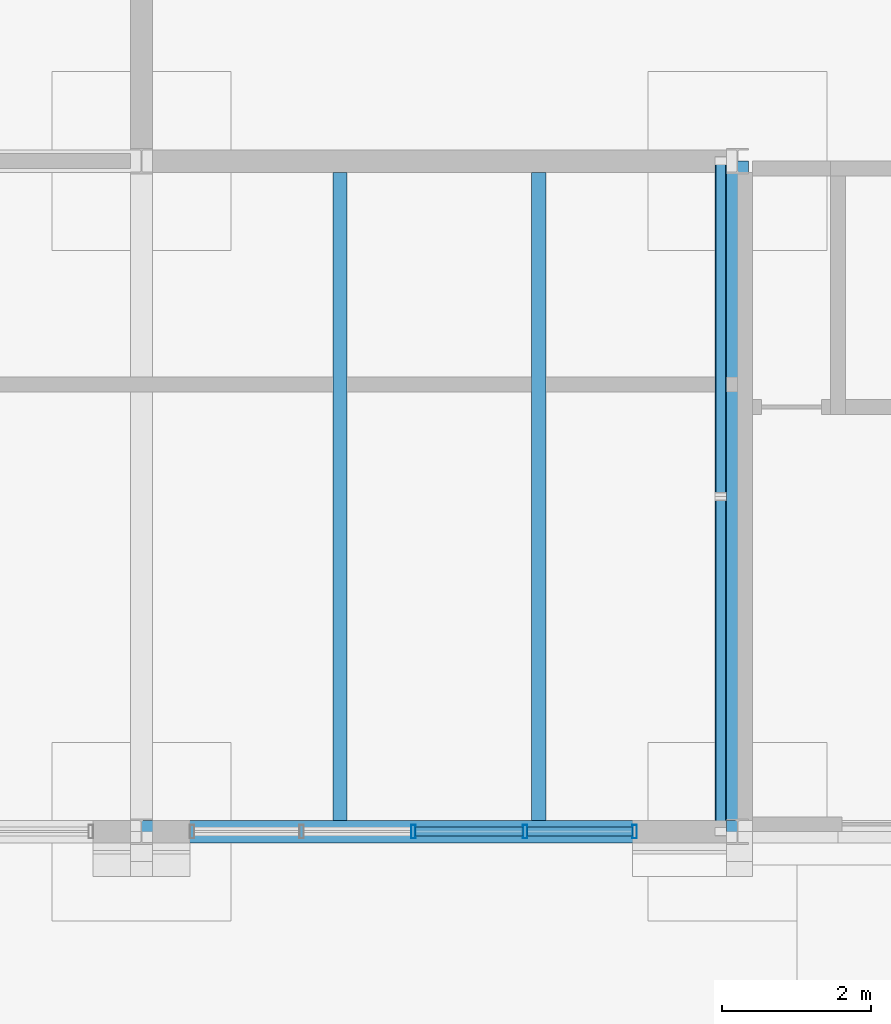
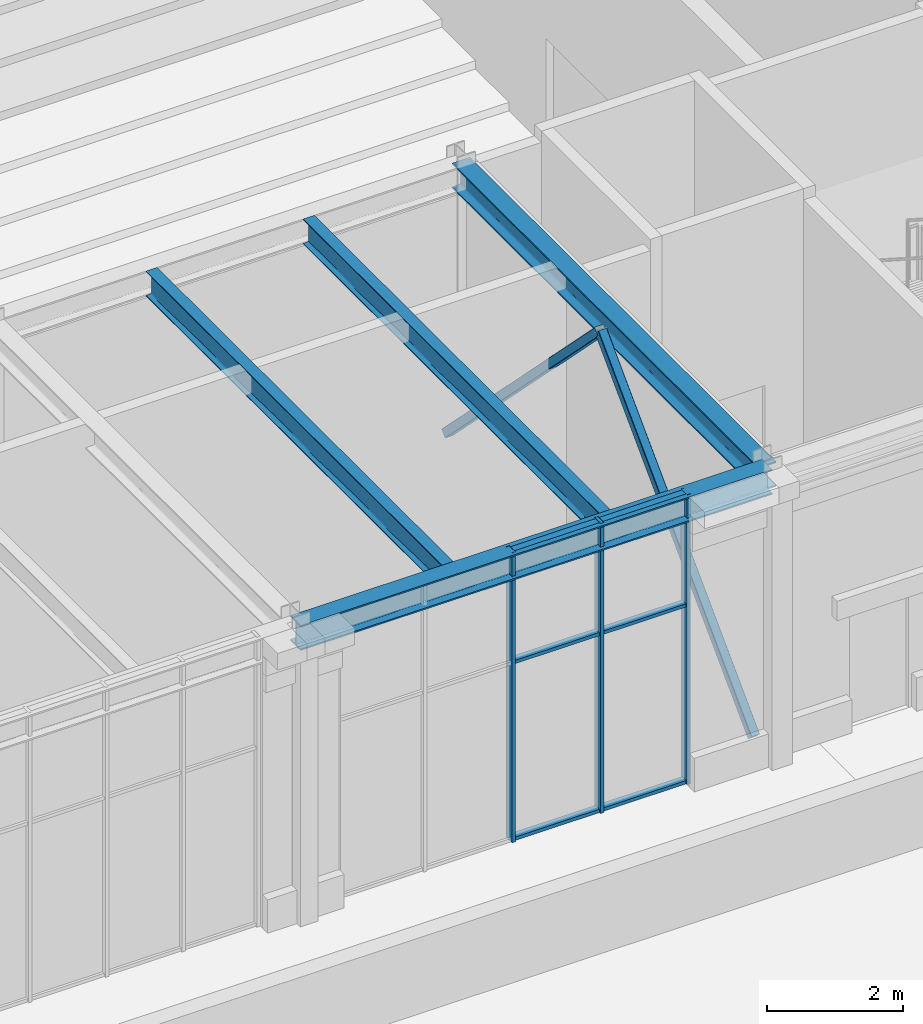
# One storey, part 30 of 126: 11 members, 4 beams, 1 element without a shape of its own.
"""IFC4 building model written with IfcOpenShell, lengths in metres."""

from ifc_helpers import new_model, si_unit, direction, frame, origin, origin_2d, place, context, subcontext, project, spatial, hollow_rectangle, i_section, extrude, material, material_profile, profile_set, type_object, element, aggregate, save


model = new_model("IFC4")

# Units and contexts
model_context = context("Model", 3, precision=1e-05, world=origin(), true_north=direction((0.0, 1.0)))
body_context = subcontext(model_context, "Body", "Model", "MODEL_VIEW")
ifc_project = project(units=[si_unit("LENGTHUNIT", "METRE"), si_unit("AREAUNIT", "SQUARE_METRE"), si_unit("VOLUMEUNIT", "CUBIC_METRE"), si_unit("PLANEANGLEUNIT", "RADIAN"), si_unit("MASSUNIT", "GRAM", prefix="KILO")], contexts=[model_context])

# Site, building, storey
site_placement = place(None, origin())
site = spatial("IfcSite", under=ifc_project, at=site_placement, CompositionType="ELEMENT")
building_placement = place(site_placement, origin())
building = spatial("IfcBuilding", under=site, at=building_placement, Name="Kallimachos Central Library", CompositionType="ELEMENT")
storey_placement = place(building_placement, origin())
storey = spatial("IfcBuildingStorey", under=building, at=storey_placement, Name="L00", CompositionType="ELEMENT", Elevation=0.0)

# Curtain wall, members
ifc_material_1 = material(Name="Aluminium and laminated glass", Category="aluminium")
curtain_wall_type = type_object("IfcCurtainWallType", Name="Shopfront curtain wall", PredefinedType="NOTDEFINED", material=ifc_material_1)
curtain_wall_placement = place(storey_placement, origin())
curtain_wall = element("IfcCurtainWall", 1, at=curtain_wall_placement, inside=storey, type_object=curtain_wall_type, Name="V6-CWL-L00-002", PredefinedType="NOTDEFINED")
ifc_material_2 = material(Name="Anodised aluminium", Category="aluminium")
ifc_material_profile_1 = material_profile(ifc_material_2, hollow_rectangle(XDim=0.06005859375, YDim=0.179931640625, WallThickness=0.00390625, at=origin_2d()), Name="ALU MULLION 60x180")
ifc_profile_set_1 = profile_set([ifc_material_profile_1], Name="Anodised aluminium")
member_type_1 = type_object("IfcMemberType", Name="ALU MULLION 60x180 mullion", PredefinedType="MULLION", material=ifc_profile_set_1)
member_1_placement = place(storey_placement, frame((17.64990234375, 9.0, 0.0), z_axis=(0.0, 0.0, 1.0), x_axis=(1.0, 0.0, 0.0)))
member_1 = element("IfcMember", 2, at=member_1_placement, type_object=member_type_1, Name="CW mullion 3", PredefinedType="MULLION", context=body_context, shape_type="SweptSolid", body=[
    extrude(hollow_rectangle(XDim=0.06005859375, YDim=0.179931640625, WallThickness=0.00390625, at=origin_2d()), origin(), (0.0, 0.0, 1.0), 5.199951171875),
])
member_2_placement = place(storey_placement, frame((19.14990234375, 9.0, 0.0), z_axis=(0.0, 0.0, 1.0), x_axis=(1.0, 0.0, 0.0)))
member_2 = element("IfcMember", 3, at=member_2_placement, type_object=member_type_1, Name="CW mullion 4", PredefinedType="MULLION", context=body_context, shape_type="SweptSolid", body=[
    extrude(hollow_rectangle(XDim=0.06005859375, YDim=0.179931640625, WallThickness=0.00390625, at=origin_2d()), origin(), (0.0, 0.0, 1.0), 5.199951171875),
])
member_3_placement = place(storey_placement, frame((20.6201171875, 9.0, 0.0), z_axis=(0.0, 0.0, 1.0), x_axis=(1.0, 0.0, 0.0)))
member_3 = element("IfcMember", 4, at=member_3_placement, type_object=member_type_1, Name="CW mullion 5", PredefinedType="MULLION", context=body_context, shape_type="SweptSolid", body=[
    extrude(hollow_rectangle(XDim=0.06005859375, YDim=0.179931640625, WallThickness=0.00390625, at=origin_2d()), origin(), (0.0, 0.0, 1.0), 5.199951171875),
])
ifc_material_3 = material(Name="Anodised aluminium", Category="aluminium")
ifc_material_profile_2 = material_profile(ifc_material_3, hollow_rectangle(XDim=0.06005859375, YDim=0.1201171875, WallThickness=0.00390625, at=origin_2d()), Name="ALU TRANSOM 60x120")
ifc_profile_set_2 = profile_set([ifc_material_profile_2], Name="Anodised aluminium")
member_type_2 = type_object("IfcMemberType", Name="ALU TRANSOM 60x120 transom", PredefinedType="USERDEFINED", material=ifc_profile_set_2)
member_4_placement = place(storey_placement, frame((17.679931640625, 9.0, 0.030029296875), z_axis=(1.0, 0.0, 0.0), x_axis=(0.0, 0.0, 1.0)))
member_4 = element("IfcMember", 5, at=member_4_placement, type_object=member_type_2, Name="CW transom 3.1", ObjectType="TRANSOM", PredefinedType="USERDEFINED", context=body_context, shape_type="SweptSolid", body=[
    extrude(hollow_rectangle(XDim=0.06005859375, YDim=0.1201171875, WallThickness=0.00390625, at=origin_2d()), origin(), (0.0, 0.0, 1.0), 1.440185546875),
])
member_5_placement = place(storey_placement, frame((17.679931640625, 9.0, 3.199951171875), z_axis=(1.0, 0.0, 0.0), x_axis=(0.0, 0.0, 1.0)))
member_5 = element("IfcMember", 6, at=member_5_placement, type_object=member_type_2, Name="CW transom 3.2", ObjectType="TRANSOM", PredefinedType="USERDEFINED", context=body_context, shape_type="SweptSolid", body=[
    extrude(hollow_rectangle(XDim=0.06005859375, YDim=0.1201171875, WallThickness=0.00390625, at=origin_2d()), origin(), (0.0, 0.0, 1.0), 1.440185546875),
])
member_6_placement = place(storey_placement, frame((17.679931640625, 9.0, 5.169921875), z_axis=(1.0, 0.0, 0.0), x_axis=(0.0, 0.0, 1.0)))
member_6 = element("IfcMember", 7, at=member_6_placement, type_object=member_type_2, Name="CW transom 3.3", ObjectType="TRANSOM", PredefinedType="USERDEFINED", context=body_context, shape_type="SweptSolid", body=[
    extrude(hollow_rectangle(XDim=0.06005859375, YDim=0.1201171875, WallThickness=0.00390625, at=origin_2d()), origin(), (0.0, 0.0, 1.0), 1.440185546875),
])
member_7_placement = place(storey_placement, frame((19.179931640625, 9.0, 0.030029296875), z_axis=(1.0, 0.0, 0.0), x_axis=(0.0, 0.0, 1.0)))
member_7 = element("IfcMember", 8, at=member_7_placement, type_object=member_type_2, Name="CW transom 4.1", ObjectType="TRANSOM", PredefinedType="USERDEFINED", context=body_context, shape_type="SweptSolid", body=[
    extrude(hollow_rectangle(XDim=0.06005859375, YDim=0.1201171875, WallThickness=0.00390625, at=origin_2d()), origin(), (0.0, 0.0, 1.0), 1.41015625),
])
member_8_placement = place(storey_placement, frame((19.179931640625, 9.0, 3.199951171875), z_axis=(1.0, 0.0, 0.0), x_axis=(0.0, 0.0, 1.0)))
member_8 = element("IfcMember", 9, at=member_8_placement, type_object=member_type_2, Name="CW transom 4.2", ObjectType="TRANSOM", PredefinedType="USERDEFINED", context=body_context, shape_type="SweptSolid", body=[
    extrude(hollow_rectangle(XDim=0.06005859375, YDim=0.1201171875, WallThickness=0.00390625, at=origin_2d()), origin(), (0.0, 0.0, 1.0), 1.41015625),
])
member_9_placement = place(storey_placement, frame((19.179931640625, 9.0, 5.169921875), z_axis=(1.0, 0.0, 0.0), x_axis=(0.0, 0.0, 1.0)))
member_9 = element("IfcMember", 10, at=member_9_placement, type_object=member_type_2, Name="CW transom 4.3", ObjectType="TRANSOM", PredefinedType="USERDEFINED", context=body_context, shape_type="SweptSolid", body=[
    extrude(hollow_rectangle(XDim=0.06005859375, YDim=0.1201171875, WallThickness=0.00390625, at=origin_2d()), origin(), (0.0, 0.0, 1.0), 1.41015625),
])
aggregate(curtain_wall, [member_1, member_2, member_3, member_4, member_5, member_6, member_7, member_8, member_9])

# Beams
ifc_material_4 = material(Name="Steel S355J2", Category="steel")
ifc_material_profile_3 = material_profile(ifc_material_4, i_section(OverallWidth=0.300048828125, OverallDepth=0.449951171875, WebThickness=0.013916015625, FlangeThickness=0.02587890625, FilletRadius=0.027099609375, at=origin_2d()), Name="HEB 450")
ifc_profile_set_3 = profile_set([ifc_material_profile_3], Name="Steel S355J2")
beam_type_1 = type_object("IfcBeamType", Name="HEB 450 beam", PredefinedType="BEAM", material=ifc_profile_set_3)
beam_1_placement = place(storey_placement, frame((14.0, 9.0, 4.97509765625), z_axis=(1.0, 0.0, 0.0), x_axis=(0.0, 1.0, 0.0)))
element("IfcBeam", 11, at=beam_1_placement, inside=storey, type_object=beam_type_1, Name="V6-BEM-L00-009", PredefinedType="BEAM", context=body_context, shape_type="SweptSolid", body=[
    extrude(i_section(OverallWidth=0.300048828125, OverallDepth=0.449951171875, WebThickness=0.013916015625, FlangeThickness=0.02587890625, FilletRadius=0.027099609375, at=origin_2d()), origin(), (0.0, 0.0, 1.0), 8.0),
])
beam_2_placement = place(storey_placement, frame((22.0, 9.0, 4.97509765625), z_axis=(0.0, 1.0, 0.0), x_axis=(-1.0, 0.0, 0.0)))
element("IfcBeam", 12, at=beam_2_placement, inside=storey, type_object=beam_type_1, Name="V6-BEM-L00-013", PredefinedType="BEAM", context=body_context, shape_type="SweptSolid", body=[
    extrude(i_section(OverallWidth=0.300048828125, OverallDepth=0.449951171875, WebThickness=0.013916015625, FlangeThickness=0.02587890625, FilletRadius=0.027099609375, at=origin_2d()), origin(), (0.0, 0.0, 1.0), 9.0),
])
ifc_material_5 = material(Name="Steel S355J2", Category="steel")
ifc_material_profile_4 = material_profile(ifc_material_5, i_section(OverallWidth=0.18994140625, OverallDepth=0.449951171875, WebThickness=0.009521484375, FlangeThickness=0.0146484375, FilletRadius=0.02099609375, at=origin_2d()), Name="IPE 450")
ifc_profile_set_4 = profile_set([ifc_material_profile_4], Name="Steel S355J2")
beam_type_2 = type_object("IfcBeamType", Name="IPE 450 beam", PredefinedType="BEAM", material=ifc_profile_set_4)
for number, where, z_axis, x_axis, name in (
    (13, (16.666748046875, 9.14990234375, 4.97509765625), (0.0, 1.0, 0.0), (-1.0, 0.0, 0.0), "V6-BEM-L00-021"),
    (14, (19.333251953125, 9.14990234375, 4.97509765625), (0.0, 1.0, 0.0), (-1.0, 0.0, 0.0), "V6-BEM-L00-022"),
):
    element("IfcBeam", number, at=place(storey_placement, frame(where, z_axis=z_axis, x_axis=x_axis)), inside=storey, type_object=beam_type_2, Name=name, PredefinedType="BEAM", context=body_context, shape_type="SweptSolid", body=[
        extrude(i_section(OverallWidth=0.18994140625, OverallDepth=0.449951171875, WebThickness=0.009521484375, FlangeThickness=0.0146484375, FilletRadius=0.02099609375, at=origin_2d()), origin(), (0.0, 0.0, 1.0), 8.7001953125),
    ])

# Members
ifc_material_6 = material(Name="Steel S355J2H", Category="steel")
ifc_material_profile_5 = material_profile(ifc_material_6, hollow_rectangle(XDim=0.14990234375, YDim=0.14990234375, WallThickness=0.010009765625, InnerFilletRadius=0.010009765625, OuterFilletRadius=0.014892578125, at=origin_2d()), Name="SHS 150x150x10")
ifc_profile_set_5 = profile_set([ifc_material_profile_5], Name="Steel S355J2H")
member_type_3 = type_object("IfcMemberType", Name="SHS 150x150x10 brace", PredefinedType="BRACE", material=ifc_profile_set_5)
for number, where, z_axis, x_axis, name in (
    (15, (21.77490234375, 9.0, 0.39990234375), (0.0, 0.703185567055, 0.711006370074), (-1.0, 0.0, 0.0), "V6-MEM-L00-001"),
    (16, (21.77490234375, 18.0, 0.39990234375), (0.0, -0.703185567055, 0.711006370074), (1.0, 0.0, 0.0), "V6-MEM-L00-002"),
):
    element("IfcMember", number, at=place(storey_placement, frame(where, z_axis=z_axis, x_axis=x_axis)), inside=storey, type_object=member_type_3, Name=name, PredefinedType="BRACE", context=body_context, shape_type="SweptSolid", body=[
        extrude(hollow_rectangle(XDim=0.14990234375, YDim=0.14990234375, WallThickness=0.010009765625, InnerFilletRadius=0.010009765625, OuterFilletRadius=0.014892578125, at=origin_2d()), origin(), (0.0, 0.0, 1.0), 6.3994140625),
    ])

save(model, "model.ifc")
